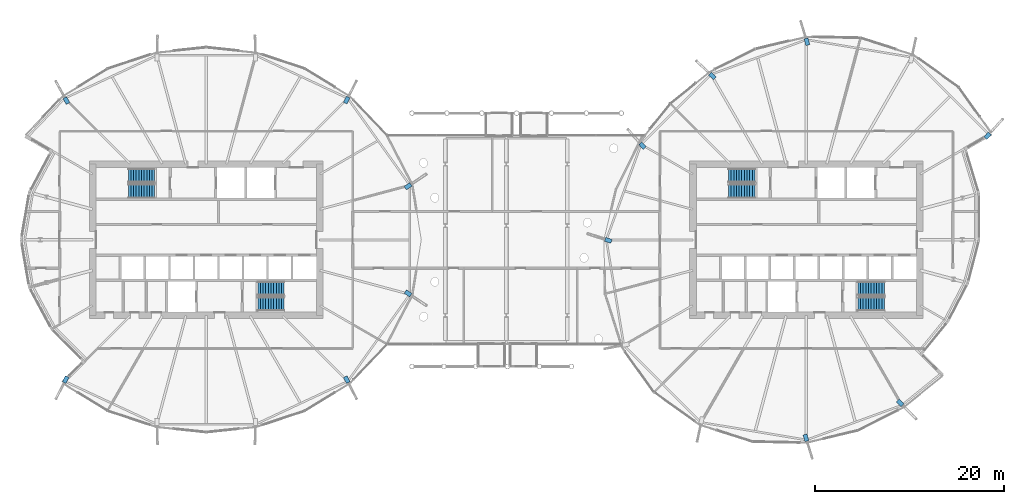
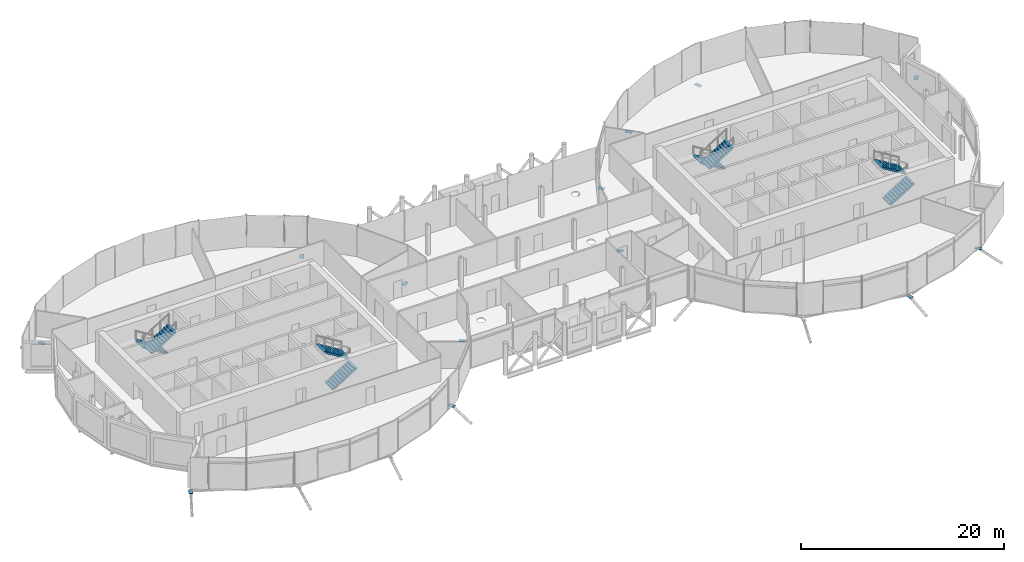
# One storey, part 30 of 40: 13 discrete accessories, 8 stair flights, 4 elements without a shape of their own.
"""IFC4 building model written with IfcOpenShell, lengths in metres."""

from ifc_helpers import new_model, si_unit, direction, frame, origin, origin_2d, place, context, subcontext, project, spatial, polyline, rectangle, outline, extrude, material, material_profile, profile_set, type_object, element, aggregate, save


model = new_model("IFC4")

# Units and contexts
model_context = context("Model", 3, precision=1e-05, world=origin(), true_north=direction((0.0, 1.0)))
body_context = subcontext(model_context, "Body", "Model", "MODEL_VIEW")
ifc_project = project(units=[si_unit("LENGTHUNIT", "METRE"), si_unit("AREAUNIT", "SQUARE_METRE"), si_unit("VOLUMEUNIT", "CUBIC_METRE"), si_unit("PLANEANGLEUNIT", "RADIAN"), si_unit("MASSUNIT", "GRAM", prefix="KILO")], contexts=[model_context])

# Site, building, storey
site_placement = place(None, origin())
site = spatial("IfcSite", under=ifc_project, at=site_placement, CompositionType="ELEMENT")
building_placement = place(site_placement, origin())
building = spatial("IfcBuilding", under=site, at=building_placement, Name="Rimbun Link Towers", CompositionType="ELEMENT")
storey_placement = place(building_placement, frame((0.0, 0.0, 150.60009765625)))
storey = spatial("IfcBuildingStorey", under=building, at=storey_placement, Name="L36", CompositionType="ELEMENT", Elevation=150.60009765625)

# Stair, stair flights
ifc_material_1 = material(Name="Concrete C40/50", Category="concrete")
stair_type = type_object("IfcStairType", Name="Exit stair 3800 rise", PredefinedType="HALF_TURN_STAIR", material=ifc_material_1)
stair_1_placement = place(storey_placement, origin())
stair_1 = element("IfcStair", 1, at=stair_1_placement, inside=storey, type_object=stair_type, Name="L36 EXIT STAIR A", PredefinedType="HALF_TURN_STAIR")
ifc_material_2 = material(Name="Concrete C40/50", Category="concrete")
stair_flight_type = type_object("IfcStairFlightType", Name="Exit stair flight 3800 rise", PredefinedType="STRAIGHT", material=ifc_material_2)
stair_flight_1_placement = place(storey_placement, frame((-37.199951171875, 6.800048828125, 0.0), z_axis=(0.0, 0.0, 1.0), x_axis=(-1.0, 0.0, 0.0)))
stair_flight_1 = element("IfcStairFlight", 2, at=stair_flight_1_placement, type_object=stair_flight_type, Name="ST1 flight 1", NumberOfRisers=11, NumberOfTreads=10, PredefinedType="STRAIGHT", RiserHeight=0.172727273, TreadLength=0.28, context=body_context, shape_type="SweptSolid", body=[
    extrude(outline(polyline([(0.0, 0.0), (0.0, 0.172607421875), (0.280029296875, 0.172607421875), (0.280029296875, 0.345458984375), (0.56005859375, 0.345458984375), (0.56005859375, 0.51806640625), (0.840087890625, 0.51806640625), (0.840087890625, 0.69091796875), (1.1201171875, 0.69091796875), (1.1201171875, 0.863525390625), (1.39990234375, 0.863525390625), (1.39990234375, 1.036376953125), (1.679931640625, 1.036376953125), (1.679931640625, 1.208984375), (1.9599609375, 1.208984375), (1.9599609375, 1.3818359375), (2.239990234375, 1.3818359375), (2.239990234375, 1.554443359375), (2.52001953125, 1.554443359375), (2.52001953125, 1.727294921875), (2.800048828125, 1.727294921875), (2.800048828125, 1.89990234375), (2.800048828125, 1.551025390625), (0.280029296875, 0.0), (0.0, 0.0)])), frame((0.0, 0.75, 0.0), z_axis=(0.0, -1.0, 0.0), x_axis=(1.0, 0.0, 0.0)), (0.0, 0.0, 1.0), 1.5),
])
stair_flight_2_placement = place(storey_placement, frame((-40.0, 5.14990234375, 1.89990234375), z_axis=(0.0, 0.0, 1.0), x_axis=(1.0, 0.0, 0.0)))
stair_flight_2 = element("IfcStairFlight", 3, at=stair_flight_2_placement, type_object=stair_flight_type, Name="ST1 flight 2", NumberOfRisers=11, NumberOfTreads=10, PredefinedType="STRAIGHT", RiserHeight=0.172727273, TreadLength=0.28, context=body_context, shape_type="SweptSolid", body=[
    extrude(outline(polyline([(0.0, 0.0), (0.0, 0.172607421875), (0.280029296875, 0.172607421875), (0.280029296875, 0.345458984375), (0.56005859375, 0.345458984375), (0.56005859375, 0.51806640625), (0.840087890625, 0.51806640625), (0.840087890625, 0.69091796875), (1.1201171875, 0.69091796875), (1.1201171875, 0.863525390625), (1.39990234375, 0.863525390625), (1.39990234375, 1.036376953125), (1.679931640625, 1.036376953125), (1.679931640625, 1.208984375), (1.9599609375, 1.208984375), (1.9599609375, 1.3818359375), (2.239990234375, 1.3818359375), (2.239990234375, 1.554443359375), (2.52001953125, 1.554443359375), (2.52001953125, 1.727294921875), (2.800048828125, 1.727294921875), (2.800048828125, 1.89990234375), (2.800048828125, 1.551025390625), (0.280029296875, 0.0), (0.0, 0.0)])), frame((0.0, 0.75, 0.0), z_axis=(0.0, -1.0, 0.0), x_axis=(1.0, 0.0, 0.0)), (0.0, 0.0, 1.0), 1.5),
])
aggregate(stair_1, [stair_flight_1, stair_flight_2])

stair_2_placement = place(storey_placement, origin())
stair_2 = element("IfcStair", 4, at=stair_2_placement, inside=storey, type_object=stair_type, Name="L36 EXIT STAIR B", PredefinedType="HALF_TURN_STAIR")
stair_flight_3_placement = place(storey_placement, frame((-26.300048828125, -6.800048828125, 0.0), z_axis=(0.0, 0.0, 1.0), x_axis=(1.0, 0.0, 0.0)))
stair_flight_3 = element("IfcStairFlight", 5, at=stair_flight_3_placement, type_object=stair_flight_type, Name="ST2 flight 1", NumberOfRisers=11, NumberOfTreads=10, PredefinedType="STRAIGHT", RiserHeight=0.172727273, TreadLength=0.28, context=body_context, shape_type="SweptSolid", body=[
    extrude(outline(polyline([(0.0, 0.0), (0.0, 0.172607421875), (0.280029296875, 0.172607421875), (0.280029296875, 0.345458984375), (0.56005859375, 0.345458984375), (0.56005859375, 0.51806640625), (0.840087890625, 0.51806640625), (0.840087890625, 0.69091796875), (1.1201171875, 0.69091796875), (1.1201171875, 0.863525390625), (1.39990234375, 0.863525390625), (1.39990234375, 1.036376953125), (1.679931640625, 1.036376953125), (1.679931640625, 1.208984375), (1.9599609375, 1.208984375), (1.9599609375, 1.3818359375), (2.239990234375, 1.3818359375), (2.239990234375, 1.554443359375), (2.52001953125, 1.554443359375), (2.52001953125, 1.727294921875), (2.800048828125, 1.727294921875), (2.800048828125, 1.89990234375), (2.800048828125, 1.551025390625), (0.280029296875, 0.0), (0.0, 0.0)])), frame((0.0, 0.75, 0.0), z_axis=(0.0, -1.0, 0.0), x_axis=(1.0, 0.0, 0.0)), (0.0, 0.0, 1.0), 1.5),
])
stair_flight_4_placement = place(storey_placement, frame((-23.5, -5.14990234375, 1.89990234375), z_axis=(0.0, 0.0, 1.0), x_axis=(-1.0, 0.0, 0.0)))
stair_flight_4 = element("IfcStairFlight", 6, at=stair_flight_4_placement, type_object=stair_flight_type, Name="ST2 flight 2", NumberOfRisers=11, NumberOfTreads=10, PredefinedType="STRAIGHT", RiserHeight=0.172727273, TreadLength=0.28, context=body_context, shape_type="SweptSolid", body=[
    extrude(outline(polyline([(0.0, 0.0), (0.0, 0.172607421875), (0.280029296875, 0.172607421875), (0.280029296875, 0.345458984375), (0.56005859375, 0.345458984375), (0.56005859375, 0.51806640625), (0.840087890625, 0.51806640625), (0.840087890625, 0.69091796875), (1.1201171875, 0.69091796875), (1.1201171875, 0.863525390625), (1.39990234375, 0.863525390625), (1.39990234375, 1.036376953125), (1.679931640625, 1.036376953125), (1.679931640625, 1.208984375), (1.9599609375, 1.208984375), (1.9599609375, 1.3818359375), (2.239990234375, 1.3818359375), (2.239990234375, 1.554443359375), (2.52001953125, 1.554443359375), (2.52001953125, 1.727294921875), (2.800048828125, 1.727294921875), (2.800048828125, 1.89990234375), (2.800048828125, 1.551025390625), (0.280029296875, 0.0), (0.0, 0.0)])), frame((0.0, 0.75, 0.0), z_axis=(0.0, -1.0, 0.0), x_axis=(1.0, 0.0, 0.0)), (0.0, 0.0, 1.0), 1.5),
])
aggregate(stair_2, [stair_flight_3, stair_flight_4])

stair_3_placement = place(storey_placement, origin())
stair_3 = element("IfcStair", 7, at=stair_3_placement, inside=storey, type_object=stair_type, Name="L36 EXIT STAIR A", PredefinedType="HALF_TURN_STAIR")
stair_flight_5_placement = place(storey_placement, frame((26.300048828125, 6.800048828125, 0.0), z_axis=(0.0, 0.0, 1.0), x_axis=(-1.0, 0.0, 0.0)))
stair_flight_5 = element("IfcStairFlight", 8, at=stair_flight_5_placement, type_object=stair_flight_type, Name="ST3 flight 1", NumberOfRisers=11, NumberOfTreads=10, PredefinedType="STRAIGHT", RiserHeight=0.172727273, TreadLength=0.28, context=body_context, shape_type="SweptSolid", body=[
    extrude(outline(polyline([(0.0, 0.0), (0.0, 0.172607421875), (0.280029296875, 0.172607421875), (0.280029296875, 0.345458984375), (0.56005859375, 0.345458984375), (0.56005859375, 0.51806640625), (0.840087890625, 0.51806640625), (0.840087890625, 0.69091796875), (1.1201171875, 0.69091796875), (1.1201171875, 0.863525390625), (1.39990234375, 0.863525390625), (1.39990234375, 1.036376953125), (1.679931640625, 1.036376953125), (1.679931640625, 1.208984375), (1.9599609375, 1.208984375), (1.9599609375, 1.3818359375), (2.239990234375, 1.3818359375), (2.239990234375, 1.554443359375), (2.52001953125, 1.554443359375), (2.52001953125, 1.727294921875), (2.800048828125, 1.727294921875), (2.800048828125, 1.89990234375), (2.800048828125, 1.551025390625), (0.280029296875, 0.0), (0.0, 0.0)])), frame((0.0, 0.75, 0.0), z_axis=(0.0, -1.0, 0.0), x_axis=(1.0, 0.0, 0.0)), (0.0, 0.0, 1.0), 1.5),
])
stair_flight_6_placement = place(storey_placement, frame((23.5, 5.14990234375, 1.89990234375), z_axis=(0.0, 0.0, 1.0), x_axis=(1.0, 0.0, 0.0)))
stair_flight_6 = element("IfcStairFlight", 9, at=stair_flight_6_placement, type_object=stair_flight_type, Name="ST3 flight 2", NumberOfRisers=11, NumberOfTreads=10, PredefinedType="STRAIGHT", RiserHeight=0.172727273, TreadLength=0.28, context=body_context, shape_type="SweptSolid", body=[
    extrude(outline(polyline([(0.0, 0.0), (0.0, 0.172607421875), (0.280029296875, 0.172607421875), (0.280029296875, 0.345458984375), (0.56005859375, 0.345458984375), (0.56005859375, 0.51806640625), (0.840087890625, 0.51806640625), (0.840087890625, 0.69091796875), (1.1201171875, 0.69091796875), (1.1201171875, 0.863525390625), (1.39990234375, 0.863525390625), (1.39990234375, 1.036376953125), (1.679931640625, 1.036376953125), (1.679931640625, 1.208984375), (1.9599609375, 1.208984375), (1.9599609375, 1.3818359375), (2.239990234375, 1.3818359375), (2.239990234375, 1.554443359375), (2.52001953125, 1.554443359375), (2.52001953125, 1.727294921875), (2.800048828125, 1.727294921875), (2.800048828125, 1.89990234375), (2.800048828125, 1.551025390625), (0.280029296875, 0.0), (0.0, 0.0)])), frame((0.0, 0.75, 0.0), z_axis=(0.0, -1.0, 0.0), x_axis=(1.0, 0.0, 0.0)), (0.0, 0.0, 1.0), 1.5),
])
aggregate(stair_3, [stair_flight_5, stair_flight_6])

stair_4_placement = place(storey_placement, origin())
stair_4 = element("IfcStair", 10, at=stair_4_placement, inside=storey, type_object=stair_type, Name="L36 EXIT STAIR B", PredefinedType="HALF_TURN_STAIR")
stair_flight_7_placement = place(storey_placement, frame((37.199951171875, -6.800048828125, 0.0), z_axis=(0.0, 0.0, 1.0), x_axis=(1.0, 0.0, 0.0)))
stair_flight_7 = element("IfcStairFlight", 11, at=stair_flight_7_placement, type_object=stair_flight_type, Name="ST4 flight 1", NumberOfRisers=11, NumberOfTreads=10, PredefinedType="STRAIGHT", RiserHeight=0.172727273, TreadLength=0.28, context=body_context, shape_type="SweptSolid", body=[
    extrude(outline(polyline([(0.0, 0.0), (0.0, 0.172607421875), (0.280029296875, 0.172607421875), (0.280029296875, 0.345458984375), (0.56005859375, 0.345458984375), (0.56005859375, 0.51806640625), (0.840087890625, 0.51806640625), (0.840087890625, 0.69091796875), (1.1201171875, 0.69091796875), (1.1201171875, 0.863525390625), (1.39990234375, 0.863525390625), (1.39990234375, 1.036376953125), (1.679931640625, 1.036376953125), (1.679931640625, 1.208984375), (1.9599609375, 1.208984375), (1.9599609375, 1.3818359375), (2.239990234375, 1.3818359375), (2.239990234375, 1.554443359375), (2.52001953125, 1.554443359375), (2.52001953125, 1.727294921875), (2.800048828125, 1.727294921875), (2.800048828125, 1.89990234375), (2.800048828125, 1.551025390625), (0.280029296875, 0.0), (0.0, 0.0)])), frame((0.0, 0.75, 0.0), z_axis=(0.0, -1.0, 0.0), x_axis=(1.0, 0.0, 0.0)), (0.0, 0.0, 1.0), 1.5),
])
stair_flight_8_placement = place(storey_placement, frame((40.0, -5.14990234375, 1.89990234375), z_axis=(0.0, 0.0, 1.0), x_axis=(-1.0, 0.0, 0.0)))
stair_flight_8 = element("IfcStairFlight", 12, at=stair_flight_8_placement, type_object=stair_flight_type, Name="ST4 flight 2", NumberOfRisers=11, NumberOfTreads=10, PredefinedType="STRAIGHT", RiserHeight=0.172727273, TreadLength=0.28, context=body_context, shape_type="SweptSolid", body=[
    extrude(outline(polyline([(0.0, 0.0), (0.0, 0.172607421875), (0.280029296875, 0.172607421875), (0.280029296875, 0.345458984375), (0.56005859375, 0.345458984375), (0.56005859375, 0.51806640625), (0.840087890625, 0.51806640625), (0.840087890625, 0.69091796875), (1.1201171875, 0.69091796875), (1.1201171875, 0.863525390625), (1.39990234375, 0.863525390625), (1.39990234375, 1.036376953125), (1.679931640625, 1.036376953125), (1.679931640625, 1.208984375), (1.9599609375, 1.208984375), (1.9599609375, 1.3818359375), (2.239990234375, 1.3818359375), (2.239990234375, 1.554443359375), (2.52001953125, 1.554443359375), (2.52001953125, 1.727294921875), (2.800048828125, 1.727294921875), (2.800048828125, 1.89990234375), (2.800048828125, 1.551025390625), (0.280029296875, 0.0), (0.0, 0.0)])), frame((0.0, 0.75, 0.0), z_axis=(0.0, -1.0, 0.0), x_axis=(1.0, 0.0, 0.0)), (0.0, 0.0, 1.0), 1.5),
])
aggregate(stair_4, [stair_flight_7, stair_flight_8])

# Discrete accessories
ifc_material_3 = material(Name="Steel S355J2H", Category="steel")
ifc_material_profile = material_profile(ifc_material_3, rectangle(XDim=0.43310546875, YDim=0.43310546875, at=origin_2d()), Name="PL 433x433")
ifc_profile_set = profile_set([ifc_material_profile], Name="Steel S355J2H")
discrete_accessory_type = type_object("IfcDiscreteAccessoryType", Name="Link head end plate 433X20", PredefinedType="BRACKET", material=ifc_profile_set)
discrete_accessory_1_placement = place(storey_placement, frame((0.0, 0.0, -0.733154296875)))
element("IfcDiscreteAccessory", 13, at=discrete_accessory_1_placement, inside=storey, type_object=discrete_accessory_type, Name="Link head end plate T1 L36 01", PredefinedType="BRACKET", context=body_context, shape_type="SweptSolid", body=[
    extrude(outline(polyline([(-10.5703125, 5.287353515625), (-9.9794921875, 5.682373046875), (-10.22021484375, 6.042236328125), (-10.810791015625, 5.647216796875), (-10.5703125, 5.287353515625)])), origin(), (0.0, 0.0, 1.0), 0.02001953125),
])
discrete_accessory_2_placement = place(storey_placement, frame((0.0, 0.0, -0.733154296875)))
element("IfcDiscreteAccessory", 14, at=discrete_accessory_2_placement, inside=storey, type_object=discrete_accessory_type, Name="Link head end plate T1 L36 03", PredefinedType="BRACKET", context=body_context, shape_type="SweptSolid", body=[
    extrude(outline(polyline([(-16.859130859375, 14.37158203125), (-16.53662109375, 15.001953125), (-16.922119140625, 15.19921875), (-17.24462890625, 14.568603515625), (-16.859130859375, 14.37158203125)])), origin(), (0.0, 0.0, 1.0), 0.02001953125),
])
discrete_accessory_3_placement = place(storey_placement, frame((0.0, 0.0, -0.733154296875)))
element("IfcDiscreteAccessory", 15, at=discrete_accessory_3_placement, inside=storey, type_object=discrete_accessory_type, Name="Link head end plate T1 L36 09", PredefinedType="BRACKET", context=body_context, shape_type="SweptSolid", body=[
    extrude(outline(polyline([(-46.187744140625, 14.53125), (-46.522705078125, 15.13916015625), (-46.90185546875, 14.93017578125), (-46.56689453125, 14.322265625), (-46.187744140625, 14.53125)])), origin(), (0.0, 0.0, 1.0), 0.02001953125),
])
discrete_accessory_4_placement = place(storey_placement, frame((0.0, 0.0, -0.733154296875)))
element("IfcDiscreteAccessory", 16, at=discrete_accessory_4_placement, inside=storey, type_object=discrete_accessory_type, Name="Link head end plate T1 L36 15", PredefinedType="BRACKET", context=body_context, shape_type="SweptSolid", body=[
    extrude(outline(polyline([(-46.640869140625, -14.37158203125), (-46.96337890625, -15.001953125), (-46.577880859375, -15.19921875), (-46.25537109375, -14.568603515625), (-46.640869140625, -14.37158203125)])), origin(), (0.0, 0.0, 1.0), 0.02001953125),
])
discrete_accessory_5_placement = place(storey_placement, frame((0.0, 0.0, -0.733154296875)))
element("IfcDiscreteAccessory", 17, at=discrete_accessory_5_placement, inside=storey, type_object=discrete_accessory_type, Name="Link head end plate T1 L36 21", PredefinedType="BRACKET", context=body_context, shape_type="SweptSolid", body=[
    extrude(outline(polyline([(-17.24462890625, -14.568603515625), (-16.922119140625, -15.19921875), (-16.53662109375, -15.001953125), (-16.859130859375, -14.37158203125), (-17.24462890625, -14.568603515625)])), origin(), (0.0, 0.0, 1.0), 0.02001953125),
])
discrete_accessory_6_placement = place(storey_placement, frame((0.0, 0.0, -0.733154296875)))
element("IfcDiscreteAccessory", 18, at=discrete_accessory_6_placement, inside=storey, type_object=discrete_accessory_type, Name="Link head end plate T1 L36 23", PredefinedType="BRACKET", context=body_context, shape_type="SweptSolid", body=[
    extrude(outline(polyline([(-10.810791015625, -5.647216796875), (-10.22021484375, -6.042236328125), (-9.9794921875, -5.682373046875), (-10.5703125, -5.287353515625), (-10.810791015625, -5.647216796875)])), origin(), (0.0, 0.0, 1.0), 0.02001953125),
])
discrete_accessory_7_placement = place(storey_placement, frame((0.0, 0.0, -0.883544921875)))
element("IfcDiscreteAccessory", 19, at=discrete_accessory_7_placement, inside=storey, type_object=discrete_accessory_type, Name="Link head end plate T2 L36 03", PredefinedType="BRACKET", context=body_context, shape_type="SweptSolid", body=[
    extrude(outline(polyline([(32.11767578125, 20.66259765625), (31.903564453125, 21.3623046875), (31.489501953125, 21.235595703125), (31.70361328125, 20.535888671875), (32.11767578125, 20.66259765625)])), origin(), (0.0, 0.0, 1.0), 0.02001953125),
])
discrete_accessory_8_placement = place(storey_placement, frame((0.0, 0.0, -0.802734375)))
element("IfcDiscreteAccessory", 20, at=discrete_accessory_8_placement, inside=storey, type_object=discrete_accessory_type, Name="Link head end plate T2 L36 05", PredefinedType="BRACKET", context=body_context, shape_type="SweptSolid", body=[
    extrude(outline(polyline([(22.21875, 17.237060546875), (21.689208984375, 17.735107421875), (21.392578125, 17.419677734375), (21.922119140625, 16.921630859375), (22.21875, 17.237060546875)])), origin(), (0.0, 0.0, 1.0), 0.02001953125),
])
discrete_accessory_9_placement = place(storey_placement, frame((0.0, 0.0, -0.55517578125)))
element("IfcDiscreteAccessory", 21, at=discrete_accessory_9_placement, inside=storey, type_object=discrete_accessory_type, Name="Link head end plate T2 L36 07", PredefinedType="BRACKET", context=body_context, shape_type="SweptSolid", body=[
    extrude(outline(polyline([(14.798095703125, 9.842529296875), (14.336181640625, 10.357666015625), (14.013916015625, 10.068603515625), (14.4755859375, 9.553466796875), (14.798095703125, 9.842529296875)])), origin(), (0.0, 0.0, 1.0), 0.02001953125),
])
discrete_accessory_10_placement = place(storey_placement, frame((0.0, 0.0, -0.733154296875)))
element("IfcDiscreteAccessory", 22, at=discrete_accessory_10_placement, inside=storey, type_object=discrete_accessory_type, Name="Link head end plate T2 L36 09", PredefinedType="BRACKET", context=body_context, shape_type="SweptSolid", body=[
    extrude(outline(polyline([(11.191650390625, 0.044677734375), (10.517578125, 0.262451171875), (10.384521484375, -0.1494140625), (11.058349609375, -0.3671875), (11.191650390625, 0.044677734375)])), origin(), (0.0, 0.0, 1.0), 0.02001953125),
])
discrete_accessory_11_placement = place(storey_placement, frame((0.0, 0.0, -0.883544921875)))
element("IfcDiscreteAccessory", 23, at=discrete_accessory_11_placement, inside=storey, type_object=discrete_accessory_type, Name="Link head end plate T2 L36 15", PredefinedType="BRACKET", context=body_context, shape_type="SweptSolid", body=[
    extrude(outline(polyline([(31.38232421875, -20.66259765625), (31.596435546875, -21.3623046875), (32.010498046875, -21.235595703125), (31.79638671875, -20.535888671875), (31.38232421875, -20.66259765625)])), origin(), (0.0, 0.0, 1.0), 0.02001953125),
])
discrete_accessory_12_placement = place(storey_placement, frame((0.0, 0.0, -0.802734375)))
element("IfcDiscreteAccessory", 24, at=discrete_accessory_12_placement, inside=storey, type_object=discrete_accessory_type, Name="Link head end plate T2 L36 17", PredefinedType="BRACKET", context=body_context, shape_type="SweptSolid", body=[
    extrude(outline(polyline([(41.25390625, -17.154296875), (41.757568359375, -17.656005859375), (42.06298828125, -17.34912109375), (41.5595703125, -16.847412109375), (41.25390625, -17.154296875)])), origin(), (0.0, 0.0, 1.0), 0.02001953125),
])
discrete_accessory_13_placement = place(storey_placement, frame((0.0, 0.0, -0.653564453125)))
element("IfcDiscreteAccessory", 25, at=discrete_accessory_13_placement, inside=storey, type_object=discrete_accessory_type, Name="Link head end plate T2 L36 23", PredefinedType="BRACKET", context=body_context, shape_type="SweptSolid", body=[
    extrude(outline(polyline([(50.849365234375, 10.611083984375), (51.30859375, 11.119873046875), (50.9873046875, 11.409912109375), (50.52783203125, 10.901123046875), (50.849365234375, 10.611083984375)])), origin(), (0.0, 0.0, 1.0), 0.02001953125),
])

save(model, "model.ifc")
